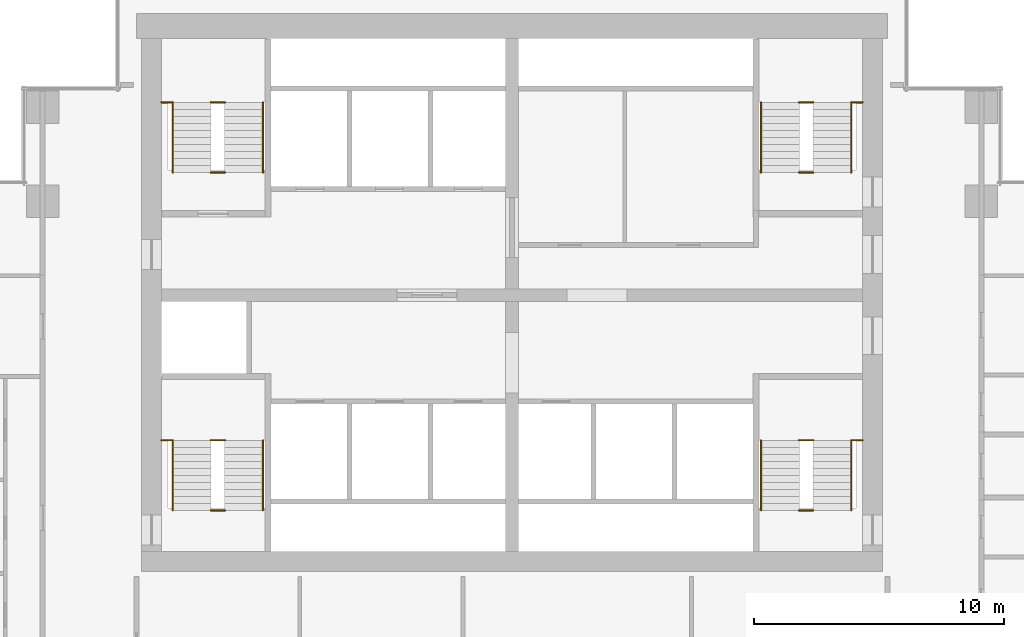
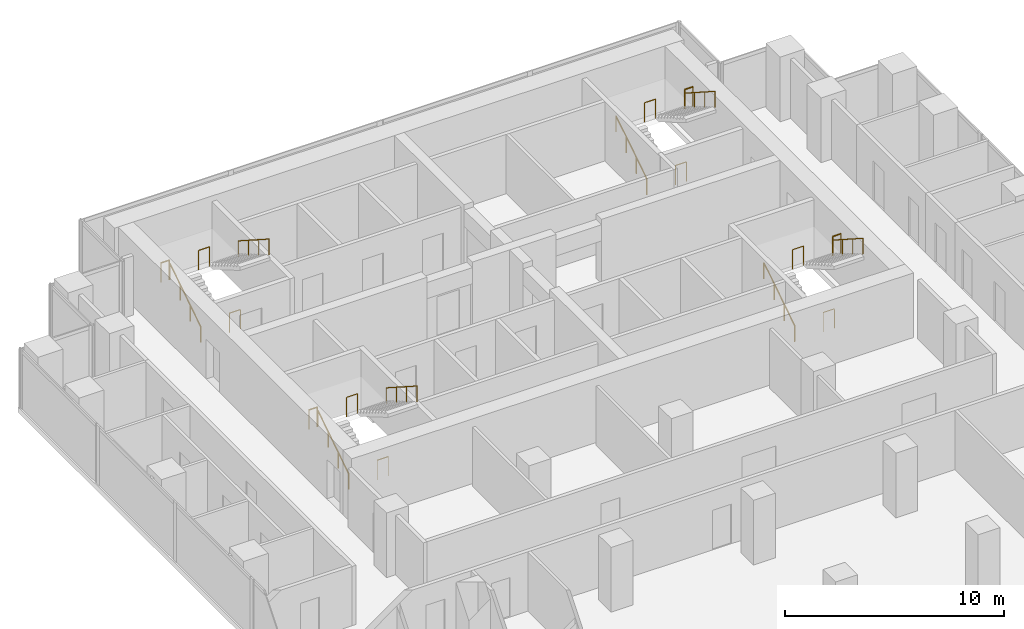
# One storey, part 10 of 10: 20 railings.
"""IFC4 building model written with IfcOpenShell, lengths in metres."""

from ifc_helpers import new_model, si_unit, direction, frame, origin, origin_2d, place, context, subcontext, project, spatial, circle, extrude, material, type_object, element, save


model = new_model("IFC4")

# Units and contexts
model_context = context("Model", 3, precision=1e-05, world=origin(), true_north=direction((0.0, 1.0)))
body_context = subcontext(model_context, "Body", "Model", "MODEL_VIEW")
ifc_project = project(units=[si_unit("LENGTHUNIT", "METRE"), si_unit("AREAUNIT", "SQUARE_METRE"), si_unit("VOLUMEUNIT", "CUBIC_METRE"), si_unit("PLANEANGLEUNIT", "RADIAN"), si_unit("MASSUNIT", "GRAM", prefix="KILO")], contexts=[model_context])

# Site, building, storey
site_placement = place(None, origin())
site = spatial("IfcSite", under=ifc_project, at=site_placement, CompositionType="ELEMENT")
building_placement = place(site_placement, origin())
building = spatial("IfcBuilding", under=site, at=building_placement, Name="Pilkhan Gate Tower", CompositionType="ELEMENT")
storey_placement = place(building_placement, frame((0.0, 0.0, 136.0)))
storey = spatial("IfcBuildingStorey", under=building, at=storey_placement, Name="L34", CompositionType="ELEMENT", Elevation=136.0)

# Railings
ifc_material_1 = material(Name="Black powder-coated steel tube", Category="steel")
railing_type_1 = type_object("IfcRailingType", Name="Stair handrail HR1", PredefinedType="HANDRAIL", material=ifc_material_1)
railing_1_placement = place(storey_placement, frame((84.949951171875, 73.89990234375, 0.0)))
element("IfcRailing", 1, at=railing_1_placement, inside=storey, type_object=railing_type_1, Name="Stair ST1 handrail L34", PredefinedType="HANDRAIL", context=body_context, shape_type="SweptSolid", body=[
    extrude(circle(Radius=0.02392578125, at=origin_2d()), frame((0.0, 0.0, 0.8759765625), z_axis=(0.0, 0.841176092368, 0.540761298198), x_axis=(-1.0, 0.0, 0.0)), (0.0, 0.0, 1.0), 3.32861328125),
    extrude(circle(Radius=0.02099609375, at=origin_2d()), origin(), (0.0, 0.0, 1.0), 0.851806640625),
    extrude(circle(Radius=0.02099609375, at=origin_2d()), frame((0.0, 0.933349609375, 0.60009765625)), (0.0, 0.0, 1.0), 0.851806640625),
    extrude(circle(Radius=0.02099609375, at=origin_2d()), frame((0.0, 1.86669921875, 1.199951171875)), (0.0, 0.0, 1.0), 0.851806640625),
    extrude(circle(Radius=0.02099609375, at=origin_2d()), frame((0.0, 2.800048828125, 1.800048828125)), (0.0, 0.0, 1.0), 0.851806640625),
])
railing_2_placement = place(storey_placement, frame((88.550048828125, 76.699951171875, 1.800048828125)))
element("IfcRailing", 2, at=railing_2_placement, inside=storey, type_object=railing_type_1, Name="Stair ST1 handrail L34", PredefinedType="HANDRAIL", context=body_context, shape_type="SweptSolid", body=[
    extrude(circle(Radius=0.02392578125, at=origin_2d()), frame((0.0, 0.0, 0.8759765625), z_axis=(0.0, -0.841176092368, 0.540761298198), x_axis=(1.0, 0.0, 0.0)), (0.0, 0.0, 1.0), 3.32861328125),
    extrude(circle(Radius=0.02099609375, at=origin_2d()), origin(), (0.0, 0.0, 1.0), 0.851806640625),
    extrude(circle(Radius=0.02099609375, at=origin_2d()), frame((0.0, -0.933349609375, 0.60009765625)), (0.0, 0.0, 1.0), 0.851806640625),
    extrude(circle(Radius=0.02099609375, at=origin_2d()), frame((0.0, -1.86669921875, 1.199951171875)), (0.0, 0.0, 1.0), 0.851806640625),
    extrude(circle(Radius=0.02099609375, at=origin_2d()), frame((0.0, -2.800048828125, 1.800048828125)), (0.0, 0.0, 1.0), 0.851806640625),
])
railing_3_placement = place(storey_placement, frame((61.449951171875, 73.89990234375, 0.0)))
element("IfcRailing", 3, at=railing_3_placement, inside=storey, type_object=railing_type_1, Name="Stair ST2 handrail L34", PredefinedType="HANDRAIL", context=body_context, shape_type="SweptSolid", body=[
    extrude(circle(Radius=0.02392578125, at=origin_2d()), frame((0.0, 0.0, 0.8759765625), z_axis=(0.0, 0.841176092368, 0.540761298198), x_axis=(-1.0, 0.0, 0.0)), (0.0, 0.0, 1.0), 3.32861328125),
    extrude(circle(Radius=0.02099609375, at=origin_2d()), origin(), (0.0, 0.0, 1.0), 0.851806640625),
    extrude(circle(Radius=0.02099609375, at=origin_2d()), frame((0.0, 0.933349609375, 0.60009765625)), (0.0, 0.0, 1.0), 0.851806640625),
    extrude(circle(Radius=0.02099609375, at=origin_2d()), frame((0.0, 1.86669921875, 1.199951171875)), (0.0, 0.0, 1.0), 0.851806640625),
    extrude(circle(Radius=0.02099609375, at=origin_2d()), frame((0.0, 2.800048828125, 1.800048828125)), (0.0, 0.0, 1.0), 0.851806640625),
])
railing_4_placement = place(storey_placement, frame((65.050048828125, 76.699951171875, 1.800048828125)))
element("IfcRailing", 4, at=railing_4_placement, inside=storey, type_object=railing_type_1, Name="Stair ST2 handrail L34", PredefinedType="HANDRAIL", context=body_context, shape_type="SweptSolid", body=[
    extrude(circle(Radius=0.02392578125, at=origin_2d()), frame((0.0, 0.0, 0.8759765625), z_axis=(0.0, -0.841176092368, 0.540761298198), x_axis=(1.0, 0.0, 0.0)), (0.0, 0.0, 1.0), 3.32861328125),
    extrude(circle(Radius=0.02099609375, at=origin_2d()), origin(), (0.0, 0.0, 1.0), 0.851806640625),
    extrude(circle(Radius=0.02099609375, at=origin_2d()), frame((0.0, -0.933349609375, 0.60009765625)), (0.0, 0.0, 1.0), 0.851806640625),
    extrude(circle(Radius=0.02099609375, at=origin_2d()), frame((0.0, -1.86669921875, 1.199951171875)), (0.0, 0.0, 1.0), 0.851806640625),
    extrude(circle(Radius=0.02099609375, at=origin_2d()), frame((0.0, -2.800048828125, 1.800048828125)), (0.0, 0.0, 1.0), 0.851806640625),
])
railing_5_placement = place(storey_placement, frame((61.449951171875, 87.39990234375, 0.0)))
element("IfcRailing", 5, at=railing_5_placement, inside=storey, type_object=railing_type_1, Name="Stair ST3 handrail L34", PredefinedType="HANDRAIL", context=body_context, shape_type="SweptSolid", body=[
    extrude(circle(Radius=0.02392578125, at=origin_2d()), frame((0.0, 0.0, 0.8759765625), z_axis=(0.0, 0.841176092368, 0.540761298198), x_axis=(-1.0, 0.0, 0.0)), (0.0, 0.0, 1.0), 3.32861328125),
    extrude(circle(Radius=0.02099609375, at=origin_2d()), origin(), (0.0, 0.0, 1.0), 0.851806640625),
    extrude(circle(Radius=0.02099609375, at=origin_2d()), frame((0.0, 0.933349609375, 0.60009765625)), (0.0, 0.0, 1.0), 0.851806640625),
    extrude(circle(Radius=0.02099609375, at=origin_2d()), frame((0.0, 1.86669921875, 1.199951171875)), (0.0, 0.0, 1.0), 0.851806640625),
    extrude(circle(Radius=0.02099609375, at=origin_2d()), frame((0.0, 2.800048828125, 1.800048828125)), (0.0, 0.0, 1.0), 0.851806640625),
])
railing_6_placement = place(storey_placement, frame((65.050048828125, 90.199951171875, 1.800048828125)))
element("IfcRailing", 6, at=railing_6_placement, inside=storey, type_object=railing_type_1, Name="Stair ST3 handrail L34", PredefinedType="HANDRAIL", context=body_context, shape_type="SweptSolid", body=[
    extrude(circle(Radius=0.02392578125, at=origin_2d()), frame((0.0, 0.0, 0.8759765625), z_axis=(0.0, -0.841176092368, 0.540761298198), x_axis=(1.0, 0.0, 0.0)), (0.0, 0.0, 1.0), 3.32861328125),
    extrude(circle(Radius=0.02099609375, at=origin_2d()), origin(), (0.0, 0.0, 1.0), 0.851806640625),
    extrude(circle(Radius=0.02099609375, at=origin_2d()), frame((0.0, -0.933349609375, 0.60009765625)), (0.0, 0.0, 1.0), 0.851806640625),
    extrude(circle(Radius=0.02099609375, at=origin_2d()), frame((0.0, -1.86669921875, 1.199951171875)), (0.0, 0.0, 1.0), 0.851806640625),
    extrude(circle(Radius=0.02099609375, at=origin_2d()), frame((0.0, -2.800048828125, 1.800048828125)), (0.0, 0.0, 1.0), 0.851806640625),
])
railing_7_placement = place(storey_placement, frame((84.949951171875, 87.39990234375, 0.0)))
element("IfcRailing", 7, at=railing_7_placement, inside=storey, type_object=railing_type_1, Name="Stair ST4 handrail L34", PredefinedType="HANDRAIL", context=body_context, shape_type="SweptSolid", body=[
    extrude(circle(Radius=0.02392578125, at=origin_2d()), frame((0.0, 0.0, 0.8759765625), z_axis=(0.0, 0.841176092368, 0.540761298198), x_axis=(-1.0, 0.0, 0.0)), (0.0, 0.0, 1.0), 3.32861328125),
    extrude(circle(Radius=0.02099609375, at=origin_2d()), origin(), (0.0, 0.0, 1.0), 0.851806640625),
    extrude(circle(Radius=0.02099609375, at=origin_2d()), frame((0.0, 0.933349609375, 0.60009765625)), (0.0, 0.0, 1.0), 0.851806640625),
    extrude(circle(Radius=0.02099609375, at=origin_2d()), frame((0.0, 1.86669921875, 1.199951171875)), (0.0, 0.0, 1.0), 0.851806640625),
    extrude(circle(Radius=0.02099609375, at=origin_2d()), frame((0.0, 2.800048828125, 1.800048828125)), (0.0, 0.0, 1.0), 0.851806640625),
])
railing_8_placement = place(storey_placement, frame((88.550048828125, 90.199951171875, 1.800048828125)))
element("IfcRailing", 8, at=railing_8_placement, inside=storey, type_object=railing_type_1, Name="Stair ST4 handrail L34", PredefinedType="HANDRAIL", context=body_context, shape_type="SweptSolid", body=[
    extrude(circle(Radius=0.02392578125, at=origin_2d()), frame((0.0, 0.0, 0.8759765625), z_axis=(0.0, -0.841176092368, 0.540761298198), x_axis=(1.0, 0.0, 0.0)), (0.0, 0.0, 1.0), 3.32861328125),
    extrude(circle(Radius=0.02099609375, at=origin_2d()), origin(), (0.0, 0.0, 1.0), 0.851806640625),
    extrude(circle(Radius=0.02099609375, at=origin_2d()), frame((0.0, -0.933349609375, 0.60009765625)), (0.0, 0.0, 1.0), 0.851806640625),
    extrude(circle(Radius=0.02099609375, at=origin_2d()), frame((0.0, -1.86669921875, 1.199951171875)), (0.0, 0.0, 1.0), 0.851806640625),
    extrude(circle(Radius=0.02099609375, at=origin_2d()), frame((0.0, -2.800048828125, 1.800048828125)), (0.0, 0.0, 1.0), 0.851806640625),
])
ifc_material_2 = material(Name="Black powder-coated steel balusters", Category="steel")
railing_type_2 = type_object("IfcRailingType", Name="Stair well guard G3", PredefinedType="GUARDRAIL", material=ifc_material_2)
railing_9_placement = place(storey_placement, frame((88.580078125, 76.699951171875, 1.800048828125)))
element("IfcRailing", 9, at=railing_9_placement, inside=storey, type_object=railing_type_2, Name="Stair ST1 well guard L34", PredefinedType="GUARDRAIL", context=body_context, shape_type="SweptSolid", body=[
    extrude(circle(Radius=0.02392578125, at=origin_2d()), frame((0.0, 0.0, 1.076171875), z_axis=(1.0, 0.0, 0.0), x_axis=(0.0, 1.0, 0.0)), (0.0, 0.0, 1.0), 0.43994140625),
    extrude(circle(Radius=0.02099609375, at=origin_2d()), origin(), (0.0, 0.0, 1.0), 1.052001953125),
    extrude(circle(Radius=0.02099609375, at=origin_2d()), frame((0.43994140625, 0.0, 0.0)), (0.0, 0.0, 1.0), 1.052001953125),
])
for number, where, name in (
    (10, (86.4599609375, 73.89990234375, 0.0), "Stair ST1 well guard L34"),
    (11, (86.4599609375, 76.699951171875, 1.800048828125), "Stair ST1 well guard L34"),
):
    element("IfcRailing", number, at=place(storey_placement, frame(where)), inside=storey, type_object=railing_type_2, Name=name, PredefinedType="GUARDRAIL", context=body_context, shape_type="SweptSolid", body=[
        extrude(circle(Radius=0.02392578125, at=origin_2d()), frame((0.0, 0.0, 1.076171875), z_axis=(1.0, 0.0, 0.0), x_axis=(0.0, 1.0, 0.0)), (0.0, 0.0, 1.0), 0.580078125),
        extrude(circle(Radius=0.02099609375, at=origin_2d()), origin(), (0.0, 0.0, 1.0), 1.052001953125),
        extrude(circle(Radius=0.02099609375, at=origin_2d()), frame((0.580078125, 0.0, 0.0)), (0.0, 0.0, 1.0), 1.052001953125),
    ])
railing_10_placement = place(storey_placement, frame((60.97998046875, 76.699951171875, 1.800048828125)))
element("IfcRailing", 12, at=railing_10_placement, inside=storey, type_object=railing_type_2, Name="Stair ST2 well guard L34", PredefinedType="GUARDRAIL", context=body_context, shape_type="SweptSolid", body=[
    extrude(circle(Radius=0.02392578125, at=origin_2d()), frame((0.0, 0.0, 1.076171875), z_axis=(1.0, 0.0, 0.0), x_axis=(0.0, 1.0, 0.0)), (0.0, 0.0, 1.0), 0.43994140625),
    extrude(circle(Radius=0.02099609375, at=origin_2d()), origin(), (0.0, 0.0, 1.0), 1.052001953125),
    extrude(circle(Radius=0.02099609375, at=origin_2d()), frame((0.43994140625, 0.0, 0.0)), (0.0, 0.0, 1.0), 1.052001953125),
])
for number, where, name in (
    (13, (62.9599609375, 73.89990234375, 0.0), "Stair ST2 well guard L34"),
    (14, (62.9599609375, 76.699951171875, 1.800048828125), "Stair ST2 well guard L34"),
):
    element("IfcRailing", number, at=place(storey_placement, frame(where)), inside=storey, type_object=railing_type_2, Name=name, PredefinedType="GUARDRAIL", context=body_context, shape_type="SweptSolid", body=[
        extrude(circle(Radius=0.02392578125, at=origin_2d()), frame((0.0, 0.0, 1.076171875), z_axis=(1.0, 0.0, 0.0), x_axis=(0.0, 1.0, 0.0)), (0.0, 0.0, 1.0), 0.580078125),
        extrude(circle(Radius=0.02099609375, at=origin_2d()), origin(), (0.0, 0.0, 1.0), 1.052001953125),
        extrude(circle(Radius=0.02099609375, at=origin_2d()), frame((0.580078125, 0.0, 0.0)), (0.0, 0.0, 1.0), 1.052001953125),
    ])
railing_11_placement = place(storey_placement, frame((60.97998046875, 90.199951171875, 1.800048828125)))
element("IfcRailing", 15, at=railing_11_placement, inside=storey, type_object=railing_type_2, Name="Stair ST3 well guard L34", PredefinedType="GUARDRAIL", context=body_context, shape_type="SweptSolid", body=[
    extrude(circle(Radius=0.02392578125, at=origin_2d()), frame((0.0, 0.0, 1.076171875), z_axis=(1.0, 0.0, 0.0), x_axis=(0.0, 1.0, 0.0)), (0.0, 0.0, 1.0), 0.43994140625),
    extrude(circle(Radius=0.02099609375, at=origin_2d()), origin(), (0.0, 0.0, 1.0), 1.052001953125),
    extrude(circle(Radius=0.02099609375, at=origin_2d()), frame((0.43994140625, 0.0, 0.0)), (0.0, 0.0, 1.0), 1.052001953125),
])
for number, where, name in (
    (16, (62.9599609375, 87.39990234375, 0.0), "Stair ST3 well guard L34"),
    (17, (62.9599609375, 90.199951171875, 1.800048828125), "Stair ST3 well guard L34"),
):
    element("IfcRailing", number, at=place(storey_placement, frame(where)), inside=storey, type_object=railing_type_2, Name=name, PredefinedType="GUARDRAIL", context=body_context, shape_type="SweptSolid", body=[
        extrude(circle(Radius=0.02392578125, at=origin_2d()), frame((0.0, 0.0, 1.076171875), z_axis=(1.0, 0.0, 0.0), x_axis=(0.0, 1.0, 0.0)), (0.0, 0.0, 1.0), 0.580078125),
        extrude(circle(Radius=0.02099609375, at=origin_2d()), origin(), (0.0, 0.0, 1.0), 1.052001953125),
        extrude(circle(Radius=0.02099609375, at=origin_2d()), frame((0.580078125, 0.0, 0.0)), (0.0, 0.0, 1.0), 1.052001953125),
    ])
railing_12_placement = place(storey_placement, frame((88.580078125, 90.199951171875, 1.800048828125)))
element("IfcRailing", 18, at=railing_12_placement, inside=storey, type_object=railing_type_2, Name="Stair ST4 well guard L34", PredefinedType="GUARDRAIL", context=body_context, shape_type="SweptSolid", body=[
    extrude(circle(Radius=0.02392578125, at=origin_2d()), frame((0.0, 0.0, 1.076171875), z_axis=(1.0, 0.0, 0.0), x_axis=(0.0, 1.0, 0.0)), (0.0, 0.0, 1.0), 0.43994140625),
    extrude(circle(Radius=0.02099609375, at=origin_2d()), origin(), (0.0, 0.0, 1.0), 1.052001953125),
    extrude(circle(Radius=0.02099609375, at=origin_2d()), frame((0.43994140625, 0.0, 0.0)), (0.0, 0.0, 1.0), 1.052001953125),
])
for number, where, name in (
    (19, (86.4599609375, 87.39990234375, 0.0), "Stair ST4 well guard L34"),
    (20, (86.4599609375, 90.199951171875, 1.800048828125), "Stair ST4 well guard L34"),
):
    element("IfcRailing", number, at=place(storey_placement, frame(where)), inside=storey, type_object=railing_type_2, Name=name, PredefinedType="GUARDRAIL", context=body_context, shape_type="SweptSolid", body=[
        extrude(circle(Radius=0.02392578125, at=origin_2d()), frame((0.0, 0.0, 1.076171875), z_axis=(1.0, 0.0, 0.0), x_axis=(0.0, 1.0, 0.0)), (0.0, 0.0, 1.0), 0.580078125),
        extrude(circle(Radius=0.02099609375, at=origin_2d()), origin(), (0.0, 0.0, 1.0), 1.052001953125),
        extrude(circle(Radius=0.02099609375, at=origin_2d()), frame((0.580078125, 0.0, 0.0)), (0.0, 0.0, 1.0), 1.052001953125),
    ])

save(model, "model.ifc")
